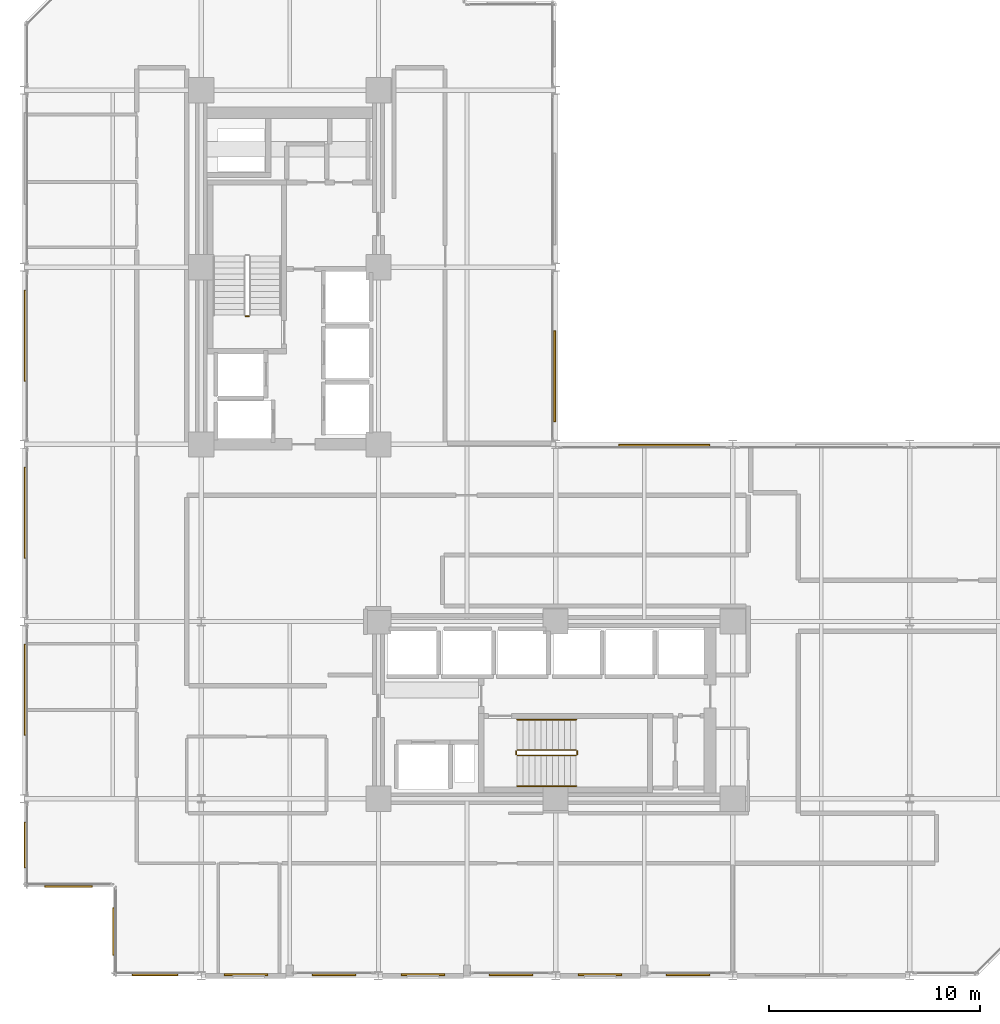
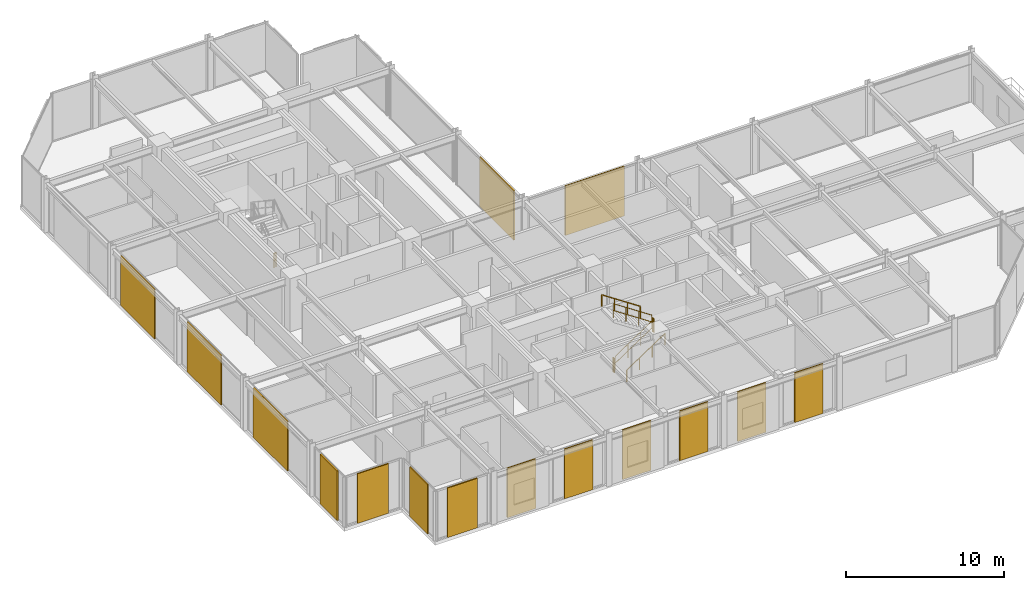
# One storey, part 36 of 38: 15 coverings, 7 railings.
"""IFC4 building model written with IfcOpenShell, lengths in metres."""

from ifc_helpers import new_model, si_unit, direction, frame, origin, origin_2d, place, context, subcontext, project, spatial, rectangle, circle, extrude, material, layer, layer_set, type_object, element, save


model = new_model("IFC4")

# Units and contexts
model_context = context("Model", 3, precision=1e-05, world=origin(), true_north=direction((0.0, 1.0)))
body_context = subcontext(model_context, "Body", "Model", "MODEL_VIEW")
ifc_project = project(units=[si_unit("LENGTHUNIT", "METRE"), si_unit("AREAUNIT", "SQUARE_METRE"), si_unit("VOLUMEUNIT", "CUBIC_METRE"), si_unit("PLANEANGLEUNIT", "RADIAN"), si_unit("MASSUNIT", "GRAM", prefix="KILO")], contexts=[model_context])

# Site, building, storey
site_placement = place(None, origin())
site = spatial("IfcSite", under=ifc_project, at=site_placement, CompositionType="ELEMENT")
building_placement = place(site_placement, origin())
building = spatial("IfcBuilding", under=site, at=building_placement, Name="Nerrivon Quay Data Exchange", CompositionType="ELEMENT")
storey_placement = place(building_placement, frame((0.0, 0.0, 96.699951171875)))
storey = spatial("IfcBuildingStorey", under=building, at=storey_placement, Name="L22", CompositionType="ELEMENT", Elevation=96.699951171875)

# Coverings
ifc_material_1 = material(Name="Architectural terracotta ceramic", Category="masonry")
ifc_layer = layer(ifc_material_1, 0.090087890625)
ifc_layer_set = layer_set([ifc_layer], Name="Architectural terracotta ceramic")
covering_type = type_object("IfcCoveringType", Name="COV-SCR-TERR", PredefinedType="CLADDING", material=ifc_layer_set)
covering_1_placement = place(storey_placement, frame((31.487548828125, 0.044921875, 0.0), z_axis=(0.0, 0.0, 1.0), x_axis=(-1.0, 0.0, 0.0)))
element("IfcCovering", 1, at=covering_1_placement, inside=storey, type_object=covering_type, Name="L22 Perforated Terracotta SOLAR SCREEN Cassette", PredefinedType="CLADDING", context=body_context, shape_type="SweptSolid", body=[
    extrude(rectangle(XDim=2.06494140625, YDim=0.090087890625, at=origin_2d()), origin(), (0.0, 0.0, 1.0), 3.824951171875),
])
covering_2_placement = place(storey_placement, frame((27.3125, 0.044921875, 0.0), z_axis=(0.0, 0.0, 1.0), x_axis=(-1.0, 0.0, 0.0)))
element("IfcCovering", 2, at=covering_2_placement, inside=storey, type_object=covering_type, Name="L22 Perforated Terracotta SOLAR SCREEN Cassette", PredefinedType="CLADDING", context=body_context, shape_type="SweptSolid", body=[
    extrude(rectangle(XDim=2.06591796875, YDim=0.090087890625, at=origin_2d()), origin(), (0.0, 0.0, 1.0), 3.824951171875),
])
for number, where, z_axis, x_axis, name in (
    (3, (23.08740234375, 0.044921875, 0.0), (0.0, 0.0, 1.0), (-1.0, 0.0, 0.0), "L22 Perforated Terracotta SOLAR SCREEN Cassette"),
    (4, (18.91259765625, 0.044921875, 0.0), (0.0, 0.0, 1.0), (-1.0, 0.0, 0.0), "L22 Perforated Terracotta SOLAR SCREEN Cassette"),
):
    element("IfcCovering", number, at=place(storey_placement, frame(where, z_axis=z_axis, x_axis=x_axis)), inside=storey, type_object=covering_type, Name=name, PredefinedType="CLADDING", context=body_context, shape_type="SweptSolid", body=[
        extrude(rectangle(XDim=2.06494140625, YDim=0.090087890625, at=origin_2d()), origin(), (0.0, 0.0, 1.0), 3.824951171875),
    ])
for number, where, z_axis, x_axis, name in (
    (5, (14.6875, 0.044921875, 0.0), (0.0, 0.0, 1.0), (-1.0, 0.0, 0.0), "L22 Perforated Terracotta SOLAR SCREEN Cassette"),
    (6, (10.512451171875, 0.044921875, 0.0), (0.0, 0.0, 1.0), (-1.0, 0.0, 0.0), "L22 Perforated Terracotta SOLAR SCREEN Cassette"),
):
    element("IfcCovering", number, at=place(storey_placement, frame(where, z_axis=z_axis, x_axis=x_axis)), inside=storey, type_object=covering_type, Name=name, PredefinedType="CLADDING", context=body_context, shape_type="SweptSolid", body=[
        extrude(rectangle(XDim=2.06591796875, YDim=0.090087890625, at=origin_2d()), origin(), (0.0, 0.0, 1.0), 3.824951171875),
    ])
covering_3_placement = place(storey_placement, frame((6.199951171875, 0.044921875, 0.0), z_axis=(0.0, 0.0, 1.0), x_axis=(-1.0, 0.0, 0.0)))
element("IfcCovering", 7, at=covering_3_placement, inside=storey, type_object=covering_type, Name="L22 Perforated Terracotta SOLAR SCREEN Cassette", PredefinedType="CLADDING", context=body_context, shape_type="SweptSolid", body=[
    extrude(rectangle(XDim=2.159912109375, YDim=0.090087890625, at=origin_2d()), origin(), (0.0, 0.0, 1.0), 3.824951171875),
])
for number, where, z_axis, x_axis, name in (
    (8, (4.2451171875, 2.10009765625, 0.0), (0.0, 0.0, 1.0), (0.0, 1.0, 0.0), "L22 Perforated Terracotta SOLAR SCREEN Cassette"),
    (9, (2.10009765625, 4.2451171875, 0.0), (0.0, 0.0, 1.0), (-1.0, 0.0, 0.0), "L22 Perforated Terracotta SOLAR SCREEN Cassette"),
):
    element("IfcCovering", number, at=place(storey_placement, frame(where, z_axis=z_axis, x_axis=x_axis)), inside=storey, type_object=covering_type, Name=name, PredefinedType="CLADDING", context=body_context, shape_type="SweptSolid", body=[
        extrude(rectangle(XDim=2.26806640625, YDim=0.090087890625, at=origin_2d()), origin(), (0.0, 0.0, 1.0), 3.824951171875),
    ])
covering_4_placement = place(storey_placement, frame((0.044921875, 6.199951171875, 0.0), z_axis=(0.0, 0.0, 1.0), x_axis=(0.0, 1.0, 0.0)))
element("IfcCovering", 10, at=covering_4_placement, inside=storey, type_object=covering_type, Name="L22 Perforated Terracotta SOLAR SCREEN Cassette", PredefinedType="CLADDING", context=body_context, shape_type="SweptSolid", body=[
    extrude(rectangle(XDim=2.159912109375, YDim=0.090087890625, at=origin_2d()), origin(), (0.0, 0.0, 1.0), 3.824951171875),
])
for number, where, z_axis, x_axis, name in (
    (11, (0.044921875, 13.56005859375, 0.0), (0.0, 0.0, 1.0), (0.0, 1.0, 0.0), "L22 Perforated Terracotta SOLAR SCREEN Cassette"),
    (12, (0.044921875, 21.9599609375, 0.0), (0.0, 0.0, 1.0), (0.0, 1.0, 0.0), "L22 Perforated Terracotta SOLAR SCREEN Cassette"),
    (13, (0.044921875, 30.360107421875, 0.0), (0.0, 0.0, 1.0), (0.0, 1.0, 0.0), "L22 Perforated Terracotta SOLAR SCREEN Cassette"),
    (14, (25.155029296875, 28.43994140625, 0.0), (0.0, 0.0, 1.0), (0.0, -1.0, 0.0), "L22 Perforated Terracotta SOLAR SCREEN Cassette"),
    (15, (30.360107421875, 25.155029296875, 0.0), (0.0, 0.0, 1.0), (1.0, 0.0, 0.0), "L22 Perforated Terracotta SOLAR SCREEN Cassette"),
):
    element("IfcCovering", number, at=place(storey_placement, frame(where, z_axis=z_axis, x_axis=x_axis)), inside=storey, type_object=covering_type, Name=name, PredefinedType="CLADDING", context=body_context, shape_type="SweptSolid", body=[
        extrude(rectangle(XDim=4.320068359375, YDim=0.090087890625, at=origin_2d()), origin(), (0.0, 0.0, 1.0), 3.824951171875),
    ])

# Railings
ifc_material_2 = material(Name="Steel Grade C350L0 (350 MPa)", Category="steel")
railing_type_1 = type_object("IfcRailingType", Name="RAIL-HAND-HR1", PredefinedType="HANDRAIL", material=ifc_material_2)
railing_1_placement = place(storey_placement, frame((23.3798828125, 9.0, 0.1865234375)))
element("IfcRailing", 16, at=railing_1_placement, inside=storey, type_object=railing_type_1, Name="L22 ST02 stair handrail 1", PredefinedType="HANDRAIL", context=body_context, shape_type="SweptSolid", body=[
    extrude(circle(Radius=0.02392578125, at=origin_2d()), frame((0.0, 0.0, 0.8759765625), z_axis=(0.832485552168, 0.0, 0.554046753832), x_axis=(0.0, 1.0, 0.0)), (0.0, 0.0, 1.0), 3.363525390625),
    extrude(circle(Radius=0.02099609375, at=origin_2d()), origin(), (0.0, 0.0, 1.0), 0.851806640625),
    extrude(circle(Radius=0.02099609375, at=origin_2d()), frame((0.933349609375, 0.0, 0.62109375)), (0.0, 0.0, 1.0), 0.851806640625),
    extrude(circle(Radius=0.02099609375, at=origin_2d()), frame((1.86669921875, 0.0, 1.242431640625)), (0.0, 0.0, 1.0), 0.851806640625),
    extrude(circle(Radius=0.02099609375, at=origin_2d()), frame((2.800048828125, 0.0, 1.863525390625)), (0.0, 0.0, 1.0), 0.851806640625),
])
railing_2_placement = place(storey_placement, frame((26.179931640625, 12.14990234375, 2.236328125)))
element("IfcRailing", 17, at=railing_2_placement, inside=storey, type_object=railing_type_1, Name="L22 ST02 stair handrail 2", PredefinedType="HANDRAIL", context=body_context, shape_type="SweptSolid", body=[
    extrude(circle(Radius=0.02392578125, at=origin_2d()), frame((0.0, 0.0, 0.8759765625), z_axis=(-0.832452072856, 0.0, 0.554097055034), x_axis=(0.0, -1.0, 0.0)), (0.0, 0.0, 1.0), 3.363525390625),
    extrude(circle(Radius=0.02099609375, at=origin_2d()), origin(), (0.0, 0.0, 1.0), 0.851806640625),
    extrude(circle(Radius=0.02099609375, at=origin_2d()), frame((-0.933349609375, 0.0, 0.621337890625)), (0.0, 0.0, 1.0), 0.851806640625),
    extrude(circle(Radius=0.02099609375, at=origin_2d()), frame((-1.86669921875, 0.0, 1.242431640625)), (0.0, 0.0, 1.0), 0.851806640625),
    extrude(circle(Radius=0.02099609375, at=origin_2d()), frame((-2.800048828125, 0.0, 1.86376953125)), (0.0, 0.0, 1.0), 0.851806640625),
])
railing_type_2 = type_object("IfcRailingType", Name="RAIL-STAIR-GR1", PredefinedType="BALUSTRADE", material=ifc_material_2)
railing_3_placement = place(storey_placement, frame((10.64990234375, 31.280029296875, 0.0)))
element("IfcRailing", 18, at=railing_3_placement, inside=storey, type_object=railing_type_2, Name="L22 ST01 stair guard 4", PredefinedType="BALUSTRADE", context=body_context, shape_type="SweptSolid", body=[
    extrude(circle(Radius=0.02392578125, at=origin_2d()), frame((0.0, 0.0, 1.076171875), z_axis=(-1.0, 0.0, 0.0), x_axis=(0.0, -1.0, 0.0)), (0.0, 0.0, 1.0), 0.14990234375),
    extrude(circle(Radius=0.02392578125, at=origin_2d()), frame((0.0, 0.0, 0.550048828125), z_axis=(-1.0, 0.0, 0.0), x_axis=(0.0, -1.0, 0.0)), (0.0, 0.0, 1.0), 0.14990234375),
    extrude(circle(Radius=0.02099609375, at=origin_2d()), origin(), (0.0, 0.0, 1.0), 1.052001953125),
    extrude(circle(Radius=0.02099609375, at=origin_2d()), frame((-0.14990234375, 0.0, 0.0)), (0.0, 0.0, 1.0), 1.052001953125),
])
railing_4_placement = place(storey_placement, frame((23.3798828125, 10.449951171875, 0.1865234375)))
element("IfcRailing", 19, at=railing_4_placement, inside=storey, type_object=railing_type_2, Name="L22 ST02 stair guard 1", PredefinedType="BALUSTRADE", context=body_context, shape_type="SweptSolid", body=[
    extrude(circle(Radius=0.02392578125, at=origin_2d()), frame((0.0, 0.0, 1.076171875), z_axis=(0.832485552168, 0.0, 0.554046753832), x_axis=(0.0, 1.0, 0.0)), (0.0, 0.0, 1.0), 3.363525390625),
    extrude(circle(Radius=0.02392578125, at=origin_2d()), frame((0.0, 0.0, 0.550048828125), z_axis=(0.832485552168, 0.0, 0.554046753832), x_axis=(0.0, 1.0, 0.0)), (0.0, 0.0, 1.0), 3.363525390625),
    extrude(circle(Radius=0.02099609375, at=origin_2d()), origin(), (0.0, 0.0, 1.0), 1.052001953125),
    extrude(circle(Radius=0.02099609375, at=origin_2d()), frame((0.933349609375, 0.0, 0.62109375)), (0.0, 0.0, 1.0), 1.052001953125),
    extrude(circle(Radius=0.02099609375, at=origin_2d()), frame((1.86669921875, 0.0, 1.242431640625)), (0.0, 0.0, 1.0), 1.052001953125),
    extrude(circle(Radius=0.02099609375, at=origin_2d()), frame((2.800048828125, 0.0, 1.863525390625)), (0.0, 0.0, 1.0), 1.052001953125),
])
railing_5_placement = place(storey_placement, frame((26.22998046875, 10.5, 2.050048828125)))
element("IfcRailing", 20, at=railing_5_placement, inside=storey, type_object=railing_type_2, Name="L22 ST02 stair guard 2", PredefinedType="BALUSTRADE", context=body_context, shape_type="SweptSolid", body=[
    extrude(circle(Radius=0.02392578125, at=origin_2d()), frame((0.0, 0.0, 1.076171875), z_axis=(0.0, 1.0, 0.0), x_axis=(-1.0, 0.0, 0.0)), (0.0, 0.0, 1.0), 0.14990234375),
    extrude(circle(Radius=0.02392578125, at=origin_2d()), frame((0.0, 0.0, 0.550048828125), z_axis=(0.0, 1.0, 0.0), x_axis=(-1.0, 0.0, 0.0)), (0.0, 0.0, 1.0), 0.14990234375),
    extrude(circle(Radius=0.02099609375, at=origin_2d()), origin(), (0.0, 0.0, 1.0), 1.052001953125),
    extrude(circle(Radius=0.02099609375, at=origin_2d()), frame((0.0, 0.14990234375, 0.0)), (0.0, 0.0, 1.0), 1.052001953125),
])
railing_6_placement = place(storey_placement, frame((26.179931640625, 10.699951171875, 2.236328125)))
element("IfcRailing", 21, at=railing_6_placement, inside=storey, type_object=railing_type_2, Name="L22 ST02 stair guard 3", PredefinedType="BALUSTRADE", context=body_context, shape_type="SweptSolid", body=[
    extrude(circle(Radius=0.02392578125, at=origin_2d()), frame((0.0, 0.0, 1.076171875), z_axis=(-0.832452072856, 0.0, 0.554097055034), x_axis=(0.0, -1.0, 0.0)), (0.0, 0.0, 1.0), 3.363525390625),
    extrude(circle(Radius=0.02392578125, at=origin_2d()), frame((0.0, 0.0, 0.550048828125), z_axis=(-0.832452072856, 0.0, 0.554097055034), x_axis=(0.0, -1.0, 0.0)), (0.0, 0.0, 1.0), 3.363525390625),
    extrude(circle(Radius=0.02099609375, at=origin_2d()), origin(), (0.0, 0.0, 1.0), 1.052001953125),
    extrude(circle(Radius=0.02099609375, at=origin_2d()), frame((-0.933349609375, 0.0, 0.621337890625)), (0.0, 0.0, 1.0), 1.052001953125),
    extrude(circle(Radius=0.02099609375, at=origin_2d()), frame((-1.86669921875, 0.0, 1.242431640625)), (0.0, 0.0, 1.0), 1.052001953125),
    extrude(circle(Radius=0.02099609375, at=origin_2d()), frame((-2.800048828125, 0.0, 1.86376953125)), (0.0, 0.0, 1.0), 1.052001953125),
])
railing_7_placement = place(storey_placement, frame((23.330078125, 10.5, 0.0)))
element("IfcRailing", 22, at=railing_7_placement, inside=storey, type_object=railing_type_2, Name="L22 ST02 stair guard 4", PredefinedType="BALUSTRADE", context=body_context, shape_type="SweptSolid", body=[
    extrude(circle(Radius=0.02392578125, at=origin_2d()), frame((0.0, 0.0, 1.076171875), z_axis=(0.0, 1.0, 0.0), x_axis=(-1.0, 0.0, 0.0)), (0.0, 0.0, 1.0), 0.14990234375),
    extrude(circle(Radius=0.02392578125, at=origin_2d()), frame((0.0, 0.0, 0.550048828125), z_axis=(0.0, 1.0, 0.0), x_axis=(-1.0, 0.0, 0.0)), (0.0, 0.0, 1.0), 0.14990234375),
    extrude(circle(Radius=0.02099609375, at=origin_2d()), origin(), (0.0, 0.0, 1.0), 1.052001953125),
    extrude(circle(Radius=0.02099609375, at=origin_2d()), frame((0.0, 0.14990234375, 0.0)), (0.0, 0.0, 1.0), 1.052001953125),
])

save(model, "model.ifc")
